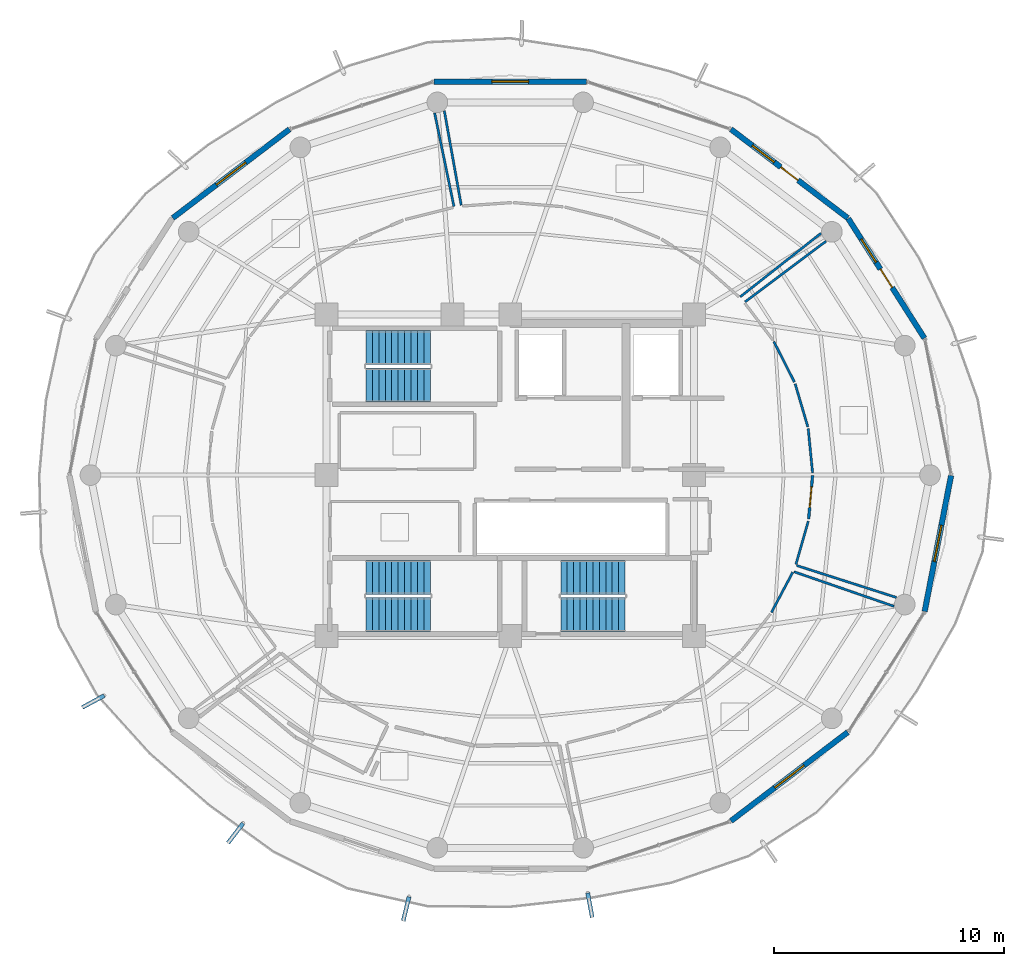
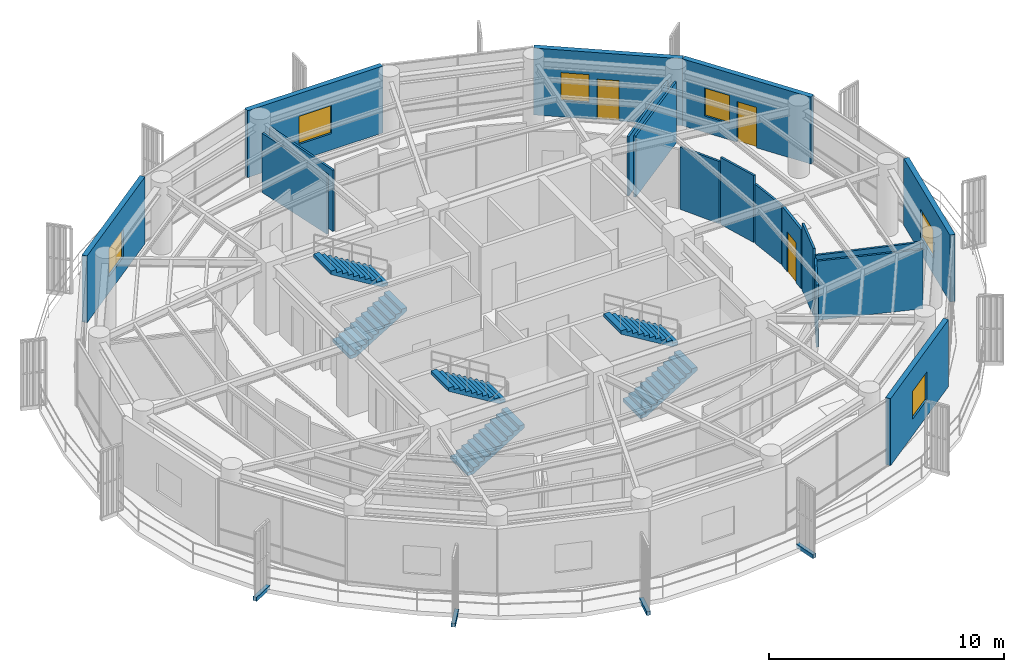
# One storey, part 18 of 23: 18 walls, 6 stair flights, 6 windows, 4 discrete accessories, 3 doors, 9 openings, 3 elements without a shape of their own.
"""IFC4 building model written with IfcOpenShell, lengths in metres."""

from ifc_helpers import new_model, si_unit, direction, frame, frame_2d, origin, origin_2d, place, context, subcontext, project, spatial, polyline, rectangle, outline, extrude, source, transform, mapped, material, layer, layer_set, type_object, element, fill, aggregate, save


model = new_model("IFC4")

# Units and contexts
model_context = context("Model", 3, precision=1e-05, world=origin(), true_north=direction((0.0, 1.0)))
body_context = subcontext(model_context, "Body", "Model", "MODEL_VIEW")
ifc_project = project(units=[si_unit("LENGTHUNIT", "METRE"), si_unit("AREAUNIT", "SQUARE_METRE"), si_unit("VOLUMEUNIT", "CUBIC_METRE"), si_unit("PLANEANGLEUNIT", "RADIAN"), si_unit("MASSUNIT", "GRAM", prefix="KILO")], contexts=[model_context])

# Site, building, storey
site_placement = place(None, origin())
site = spatial("IfcSite", under=ifc_project, at=site_placement, CompositionType="ELEMENT")
building_placement = place(site_placement, origin())
building = spatial("IfcBuilding", under=site, at=building_placement, Name="Kelanora Arch Commons", CompositionType="ELEMENT")
storey_placement = place(building_placement, frame((0.0, 0.0, 286.199951171875)))
storey = spatial("IfcBuildingStorey", under=building, at=storey_placement, Name="L73", CompositionType="ELEMENT", Elevation=286.199951171875)

# Wall, openings, door, window
ifc_material_1 = material(Name="Precast concrete C40/50 upper-zone terracotta rainscreen", Category="masonry")
ifc_layer_1 = layer(ifc_material_1, 0.239990234375)
ifc_layer_set_1 = layer_set([ifc_layer_1], Name="Precast concrete C40/50 upper-zone terracotta rainscreen")
wall_type_1 = type_object("IfcWallType", Name="W-EXT-TC2", PredefinedType="SOLIDWALL", material=ifc_layer_set_1)
wall_1_placement = place(storey_placement, frame((92.033935546875, 63.9638671875, 0.0), z_axis=(0.0, 0.0, 1.0), x_axis=(-0.537271968456, 0.843409053728, 0.0)))
wall_1 = element("IfcWall", 1, at=wall_1_placement, inside=storey, type_object=wall_type_1, Name="Terracotta Exterior Wall L73-B01", PredefinedType="SOLIDWALL", context=body_context, shape_type="SweptSolid", body=[
    extrude(rectangle(XDim=6.175048828125, YDim=0.239990234375, at=frame_2d((3.08740234375, 0.0))), origin(), (0.0, 0.0, 1.0), 3.47509765625),
])
opening_1_placement = place(wall_1_placement, frame((2.613037109375, 0.0, 0.0)))
opening_1 = element("IfcOpeningElement", 2, at=opening_1_placement, cuts=wall_1, Name="Opening DB-01", PredefinedType="OPENING", context=body_context, shape_type="SweptSolid", body=[
    extrude(rectangle(XDim=0.949951171875, YDim=2.10009765625, at=frame_2d((0.47509765625, 1.050048828125))), frame((0.0, 0.1298828125, 0.0), z_axis=(0.0, -1.0, 0.0), x_axis=(1.0, 0.0, 0.0)), (0.0, 0.0, 1.0), 0.260009765625),
])
opening_2_placement = place(wall_1_placement, frame((3.9130859375, 0.0, 0.85009765625)))
opening_2 = element("IfcOpeningElement", 3, at=opening_2_placement, cuts=wall_1, Name="Opening WN-02", PredefinedType="OPENING", context=body_context, shape_type="SweptSolid", body=[
    extrude(rectangle(XDim=1.199951171875, YDim=1.449951171875, at=frame_2d((0.60009765625, 0.72509765625))), frame((0.0, 0.1298828125, 0.0), z_axis=(0.0, -1.0, 0.0), x_axis=(1.0, 0.0, 0.0)), (0.0, 0.0, 1.0), 0.260009765625),
])
ifc_material_2 = material(Name="Terracotta-aluminium thermally broken glazed balcony door", Category="masonry")
door_type_1 = type_object("IfcDoorType", Name="D-BAL-10", OperationType="NOTDEFINED", PredefinedType="DOOR", material=ifc_material_2)
door_1_placement = place(opening_1_placement, frame((0.949951171875, 0.0, 0.0), z_axis=(0.0, 0.0, 1.0), x_axis=(-1.0, 0.0, 0.0)))
door_1 = element("IfcDoor", 4, at=door_1_placement, inside=storey, type_object=door_type_1, Name="Wave Balcony Door L73-B01", OperationType="SINGLE_SWING_LEFT", OverallHeight=2.10009765625, OverallWidth=0.949951171875, PredefinedType="DOOR", context=body_context, shape_type="SweptSolid", body=[
    extrude(rectangle(XDim=0.949951171875, YDim=2.10009765625, at=frame_2d((0.47509765625, 1.050048828125))), frame((0.0, 0.02490234375, 0.0), z_axis=(0.0, -1.0, 0.0), x_axis=(1.0, 0.0, 0.0)), (0.0, 0.0, 1.0), 0.050048828125),
])
fill(opening_1, door_1)
ifc_material_3 = material(Name="Terracotta-anodised aluminium frame with operable awning sash", Category="masonry")
window_type_1 = type_object("IfcWindowType", Name="WIN-CL-12", PartitioningType="SINGLE_PANEL", PredefinedType="WINDOW", material=ifc_material_3)
window_1_placement = place(opening_2_placement, origin())
window_1 = element("IfcWindow", 5, at=window_1_placement, inside=storey, type_object=window_type_1, Name="Co-Living Operable Window L73-B01", OverallHeight=1.449951171875, OverallWidth=1.199951171875, PartitioningType="SINGLE_PANEL", PredefinedType="WINDOW", context=body_context, shape_type="SweptSolid", body=[
    extrude(rectangle(XDim=1.199951171875, YDim=1.449951171875, at=frame_2d((0.60009765625, 0.72509765625))), frame((0.0, 0.030029296875, 0.0), z_axis=(0.0, -1.0, 0.0), x_axis=(1.0, 0.0, 0.0)), (0.0, 0.0, 1.0), 0.06005859375),
])
fill(opening_2, window_1)

wall_2_placement = place(storey_placement, frame((88.6962890625, 69.193603515625, 0.0), z_axis=(0.0, 0.0, 1.0), x_axis=(-0.796010444211, 0.605282886514, 0.0)))
wall_2 = element("IfcWall", 6, at=wall_2_placement, inside=storey, type_object=wall_type_1, Name="Terracotta Exterior Wall L73-B02", PredefinedType="SOLIDWALL", context=body_context, shape_type="SweptSolid", body=[
    extrude(rectangle(XDim=6.387451171875, YDim=0.239990234375, at=frame_2d((3.19384765625, 0.0))), origin(), (0.0, 0.0, 1.0), 3.47509765625),
])
opening_3_placement = place(wall_2_placement, frame((2.718994140625, 0.0, 0.0)))
opening_3 = element("IfcOpeningElement", 7, at=opening_3_placement, cuts=wall_2, Name="Opening DB-01", PredefinedType="OPENING", context=body_context, shape_type="SweptSolid", body=[
    extrude(rectangle(XDim=0.949951171875, YDim=2.10009765625, at=frame_2d((0.47509765625, 1.050048828125))), frame((0.0, 0.1298828125, 0.0), z_axis=(0.0, -1.0, 0.0), x_axis=(1.0, 0.0, 0.0)), (0.0, 0.0, 1.0), 0.260009765625),
])
opening_4_placement = place(wall_2_placement, frame((4.01904296875, 0.0, 0.85009765625)))
opening_4 = element("IfcOpeningElement", 8, at=opening_4_placement, cuts=wall_2, Name="Opening WN-02", PredefinedType="OPENING", context=body_context, shape_type="SweptSolid", body=[
    extrude(rectangle(XDim=1.199951171875, YDim=1.449951171875, at=frame_2d((0.60009765625, 0.72509765625))), frame((0.0, 0.1298828125, 0.0), z_axis=(0.0, -1.0, 0.0), x_axis=(1.0, 0.0, 0.0)), (0.0, 0.0, 1.0), 0.260009765625),
])
door_2_placement = place(opening_3_placement, frame((0.949951171875, 0.0, 0.0), z_axis=(0.0, 0.0, 1.0), x_axis=(-1.0, 0.0, 0.0)))
door_2 = element("IfcDoor", 9, at=door_2_placement, inside=storey, type_object=door_type_1, Name="Wave Balcony Door L73-B02", OperationType="SINGLE_SWING_RIGHT", OverallHeight=2.10009765625, OverallWidth=0.949951171875, PredefinedType="DOOR", context=body_context, shape_type="SweptSolid", body=[
    extrude(rectangle(XDim=0.949951171875, YDim=2.10009765625, at=frame_2d((0.47509765625, 1.050048828125))), frame((0.0, 0.02490234375, 0.0), z_axis=(0.0, -1.0, 0.0), x_axis=(1.0, 0.0, 0.0)), (0.0, 0.0, 1.0), 0.050048828125),
])
fill(opening_3, door_2)
window_2_placement = place(opening_4_placement, origin())
window_2 = element("IfcWindow", 10, at=window_2_placement, inside=storey, type_object=window_type_1, Name="Co-Living Operable Window L73-B02", OverallHeight=1.449951171875, OverallWidth=1.199951171875, PartitioningType="SINGLE_PANEL", PredefinedType="WINDOW", context=body_context, shape_type="SweptSolid", body=[
    extrude(rectangle(XDim=1.199951171875, YDim=1.449951171875, at=frame_2d((0.60009765625, 0.72509765625))), frame((0.0, 0.030029296875, 0.0), z_axis=(0.0, -1.0, 0.0), x_axis=(1.0, 0.0, 0.0)), (0.0, 0.0, 1.0), 0.06005859375),
])
fill(opening_4, window_2)

# Wall, opening, window
wall_3_placement = place(storey_placement, frame((77.319091796875, 75.1357421875, 0.0), z_axis=(0.0, 0.0, 1.0), x_axis=(-1.0, 0.0, 0.0)))
wall_3 = element("IfcWall", 11, at=wall_3_placement, inside=storey, type_object=wall_type_1, Name="Terracotta Exterior Wall L73-B04", PredefinedType="SOLIDWALL", context=body_context, shape_type="SweptSolid", body=[
    extrude(rectangle(XDim=6.63818359375, YDim=0.239990234375, at=frame_2d((3.319091796875, 0.0))), origin(), (0.0, 0.0, 1.0), 3.47509765625),
])
opening_5_placement = place(wall_3_placement, frame((2.51904296875, 0.0, 0.85009765625)))
opening_5 = element("IfcOpeningElement", 12, at=opening_5_placement, cuts=wall_3, Name="Opening WN-01", PredefinedType="OPENING", context=body_context, shape_type="SweptSolid", body=[
    extrude(rectangle(XDim=1.60009765625, YDim=1.449951171875, at=frame_2d((0.800048828125, 0.72509765625))), frame((0.0, 0.1298828125, 0.0), z_axis=(0.0, -1.0, 0.0), x_axis=(1.0, 0.0, 0.0)), (0.0, 0.0, 1.0), 0.260009765625),
])
ifc_material_4 = material(Name="Terracotta-anodised aluminium frame with operable low-E glazing", Category="masonry")
window_type_2 = type_object("IfcWindowType", Name="WIN-CL-18", PartitioningType="DOUBLE_PANEL_VERTICAL", PredefinedType="WINDOW", material=ifc_material_4)
window_3_placement = place(opening_5_placement, origin())
window_3 = element("IfcWindow", 13, at=window_3_placement, inside=storey, type_object=window_type_2, Name="Co-Living Operable Window L73-B04", OverallHeight=1.449951171875, OverallWidth=1.60009765625, PartitioningType="SINGLE_PANEL", PredefinedType="WINDOW", context=body_context, shape_type="SweptSolid", body=[
    extrude(rectangle(XDim=1.60009765625, YDim=1.449951171875, at=frame_2d((0.800048828125, 0.72509765625))), frame((0.0, 0.030029296875, 0.0), z_axis=(0.0, -1.0, 0.0), x_axis=(1.0, 0.0, 0.0)), (0.0, 0.0, 1.0), 0.06005859375),
])
fill(opening_5, window_3)

wall_4_placement = place(storey_placement, frame((64.38818359375, 73.059814453125, 0.0), z_axis=(0.0, 0.0, 1.0), x_axis=(-0.796010444211, -0.605282886514, 0.0)))
wall_4 = element("IfcWall", 14, at=wall_4_placement, inside=storey, type_object=wall_type_1, Name="Terracotta Exterior Wall L73-B06", PredefinedType="SOLIDWALL", context=body_context, shape_type="SweptSolid", body=[
    extrude(rectangle(XDim=6.387451171875, YDim=0.239990234375, at=frame_2d((3.19384765625, 0.0))), origin(), (0.0, 0.0, 1.0), 3.47509765625),
])
opening_6_placement = place(wall_4_placement, frame((2.39404296875, 0.0, 0.85009765625)))
opening_6 = element("IfcOpeningElement", 15, at=opening_6_placement, cuts=wall_4, Name="Opening WN-01", PredefinedType="OPENING", context=body_context, shape_type="SweptSolid", body=[
    extrude(rectangle(XDim=1.60009765625, YDim=1.449951171875, at=frame_2d((0.800048828125, 0.72509765625))), frame((0.0, 0.1298828125, 0.0), z_axis=(0.0, -1.0, 0.0), x_axis=(1.0, 0.0, 0.0)), (0.0, 0.0, 1.0), 0.260009765625),
])
window_4_placement = place(opening_6_placement, origin())
window_4 = element("IfcWindow", 16, at=window_4_placement, inside=storey, type_object=window_type_2, Name="Co-Living Operable Window L73-B06", OverallHeight=1.449951171875, OverallWidth=1.60009765625, PartitioningType="SINGLE_PANEL", PredefinedType="WINDOW", context=body_context, shape_type="SweptSolid", body=[
    extrude(rectangle(XDim=1.60009765625, YDim=1.449951171875, at=frame_2d((0.800048828125, 0.72509765625))), frame((0.0, 0.030029296875, 0.0), z_axis=(0.0, -1.0, 0.0), x_axis=(1.0, 0.0, 0.0)), (0.0, 0.0, 1.0), 0.06005859375),
])
fill(opening_6, window_4)

wall_5_placement = place(storey_placement, frame((83.61181640625, 42.940185546875, 0.0), z_axis=(0.0, 0.0, 1.0), x_axis=(0.796010444211, 0.605282886514, 0.0)))
wall_5 = element("IfcWall", 17, at=wall_5_placement, inside=storey, type_object=wall_type_1, Name="Terracotta Exterior Wall L73-B15", PredefinedType="SOLIDWALL", context=body_context, shape_type="SweptSolid", body=[
    extrude(rectangle(XDim=6.387451171875, YDim=0.239990234375, at=frame_2d((3.19384765625, 0.0))), origin(), (0.0, 0.0, 1.0), 3.47509765625),
])
opening_7_placement = place(wall_5_placement, frame((2.39404296875, 0.0, 0.85009765625)))
opening_7 = element("IfcOpeningElement", 18, at=opening_7_placement, cuts=wall_5, Name="Opening WN-01", PredefinedType="OPENING", context=body_context, shape_type="SweptSolid", body=[
    extrude(rectangle(XDim=1.60009765625, YDim=1.449951171875, at=frame_2d((0.800048828125, 0.72509765625))), frame((0.0, 0.1298828125, 0.0), z_axis=(0.0, -1.0, 0.0), x_axis=(1.0, 0.0, 0.0)), (0.0, 0.0, 1.0), 0.260009765625),
])
window_5_placement = place(opening_7_placement, origin())
window_5 = element("IfcWindow", 19, at=window_5_placement, inside=storey, type_object=window_type_2, Name="Co-Living Operable Window L73-B15", OverallHeight=1.449951171875, OverallWidth=1.60009765625, PartitioningType="SINGLE_PANEL", PredefinedType="WINDOW", context=body_context, shape_type="SweptSolid", body=[
    extrude(rectangle(XDim=1.60009765625, YDim=1.449951171875, at=frame_2d((0.800048828125, 0.72509765625))), frame((0.0, 0.030029296875, 0.0), z_axis=(0.0, -1.0, 0.0), x_axis=(1.0, 0.0, 0.0)), (0.0, 0.0, 1.0), 0.06005859375),
])
fill(opening_7, window_5)

wall_6_placement = place(storey_placement, frame((92.044921875, 52.0634765625, 0.0), z_axis=(0.0, 0.0, 1.0), x_axis=(0.190969309115, 0.981596008028, 0.0)))
wall_6 = element("IfcWall", 20, at=wall_6_placement, inside=storey, type_object=wall_type_1, Name="Terracotta Exterior Wall L73-B17", PredefinedType="SOLIDWALL", context=body_context, shape_type="SweptSolid", body=[
    extrude(rectangle(XDim=6.032958984375, YDim=0.239990234375, at=frame_2d((3.0166015625, 0.0))), origin(), (0.0, 0.0, 1.0), 3.47509765625),
])
opening_8_placement = place(wall_6_placement, frame((2.216064453125, 0.0, 0.85009765625)))
opening_8 = element("IfcOpeningElement", 21, at=opening_8_placement, cuts=wall_6, Name="Opening WN-01", PredefinedType="OPENING", context=body_context, shape_type="SweptSolid", body=[
    extrude(rectangle(XDim=1.60009765625, YDim=1.449951171875, at=frame_2d((0.800048828125, 0.72509765625))), frame((0.0, 0.1298828125, 0.0), z_axis=(0.0, -1.0, 0.0), x_axis=(1.0, 0.0, 0.0)), (0.0, 0.0, 1.0), 0.260009765625),
])
window_6_placement = place(opening_8_placement, origin())
window_6 = element("IfcWindow", 22, at=window_6_placement, inside=storey, type_object=window_type_2, Name="Co-Living Operable Window L73-B17", OverallHeight=1.449951171875, OverallWidth=1.60009765625, PartitioningType="SINGLE_PANEL", PredefinedType="WINDOW", context=body_context, shape_type="SweptSolid", body=[
    extrude(rectangle(XDim=1.60009765625, YDim=1.449951171875, at=frame_2d((0.800048828125, 0.72509765625))), frame((0.0, 0.030029296875, 0.0), z_axis=(0.0, -1.0, 0.0), x_axis=(1.0, 0.0, 0.0)), (0.0, 0.0, 1.0), 0.06005859375),
])
fill(opening_8, window_6)

# Walls
ifc_material_5 = material(Name="Lightweight fire-rated acoustic stud partition")
ifc_layer_2 = layer(ifc_material_5, 0.10009765625)
ifc_layer_set_2 = layer_set([ifc_layer_2], Name="Lightweight fire-rated acoustic stud partition")
wall_type_2 = type_object("IfcWallType", Name="W-PART-100", PredefinedType="PARTITIONING", material=ifc_layer_set_2)
wall_7_placement = place(storey_placement, frame((70.706787109375, 73.769775390625, 0.0), z_axis=(0.0, 0.0, 1.0), x_axis=(0.202308141573, -0.979321916355, 0.0)))
element("IfcWall", 23, at=wall_7_placement, inside=storey, type_object=wall_type_2, Name="Communal Dining and Social Hall L73-01 Enclosure Partition 14", PredefinedType="PARTITIONING", context=body_context, shape_type="SweptSolid", body=[
    extrude(rectangle(XDim=4.152587890625, YDim=0.10009765625, at=frame_2d((2.076171875, 0.0))), origin(), (0.0, 0.0, 1.0), 3.074951171875),
])
wall_8_placement = place(storey_placement, frame((85.370849609375, 52.016357421875, 0.0), z_axis=(0.0, 0.0, 1.0), x_axis=(0.468933294906, 0.883233584579, 0.0)))
element("IfcWall", 24, at=wall_8_placement, inside=storey, type_object=wall_type_2, Name="Quiet Seminar Study Room L73-04 Enclosure Partition 6", PredefinedType="PARTITIONING", context=body_context, shape_type="SweptSolid", body=[
    extrude(rectangle(XDim=1.984130859375, YDim=0.10009765625, at=frame_2d((0.9921875, 0.0))), origin(), (0.0, 0.0, 1.0), 3.235107421875),
])
wall_9_placement = place(storey_placement, frame((86.35791015625, 53.791015625, 0.0), z_axis=(0.0, 0.0, 1.0), x_axis=(0.945103281494, -0.326771766388, 0.0)))
element("IfcWall", 25, at=wall_9_placement, inside=storey, type_object=wall_type_2, Name="Quiet Seminar Study Room L73-04 Enclosure Partition 7", PredefinedType="PARTITIONING", context=body_context, shape_type="SweptSolid", body=[
    extrude(rectangle(XDim=4.603759765625, YDim=0.10009765625, at=frame_2d((2.3017578125, 0.0))), origin(), (0.0, 0.0, 1.0), 3.074951171875),
])
wall_10_placement = place(storey_placement, frame((86.44091796875, 54.115478515625, 0.0), z_axis=(0.0, 0.0, 1.0), x_axis=(0.274226302341, 0.961665188673, 0.0)))
element("IfcWall", 26, at=wall_10_placement, inside=storey, type_object=wall_type_2, Name="Communal Dining and Social Hall L73-05 Enclosure Partition 1", PredefinedType="PARTITIONING", context=body_context, shape_type="SweptSolid", body=[
    extrude(rectangle(XDim=1.955078125, YDim=0.10009765625, at=frame_2d((0.9775390625, 0.0))), origin(), (0.0, 0.0, 1.0), 3.47998046875),
])
wall_11_placement = place(storey_placement, frame((87.166015625, 58.087890625, 0.0), z_axis=(0.0, 0.0, 1.0), x_axis=(-0.098769631998, 0.995110325439, 0.0)))
element("IfcWall", 27, at=wall_11_placement, inside=storey, type_object=wall_type_2, Name="Communal Dining and Social Hall L73-05 Enclosure Partition 3", PredefinedType="PARTITIONING", context=body_context, shape_type="SweptSolid", body=[
    extrude(rectangle(XDim=1.94287109375, YDim=0.10009765625, at=frame_2d((0.971435546875, 0.0))), origin(), (0.0, 0.0, 1.0), 3.074951171875),
])
wall_12_placement = place(storey_placement, frame((86.958740234375, 60.099365234375, 0.0), z_axis=(0.0, 0.0, 1.0), x_axis=(-0.28293653612, 0.959138632591, 0.0)))
element("IfcWall", 28, at=wall_12_placement, inside=storey, type_object=wall_type_2, Name="Communal Dining and Social Hall L73-05 Enclosure Partition 4", PredefinedType="PARTITIONING", context=body_context, shape_type="SweptSolid", body=[
    extrude(rectangle(XDim=1.9560546875, YDim=0.10009765625, at=frame_2d((0.97802734375, 0.0))), origin(), (0.0, 0.0, 1.0), 3.47998046875),
])
wall_13_placement = place(storey_placement, frame((86.3759765625, 62.049560546875, 0.0), z_axis=(0.0, 0.0, 1.0), x_axis=(-0.453658133306, 0.891175795276, 0.0)))
element("IfcWall", 29, at=wall_13_placement, inside=storey, type_object=wall_type_2, Name="Communal Dining and Social Hall L73-05 Enclosure Partition 5", PredefinedType="PARTITIONING", context=body_context, shape_type="SweptSolid", body=[
    extrude(rectangle(XDim=1.9814453125, YDim=0.10009765625, at=frame_2d((0.99072265625, 0.0))), origin(), (0.0, 0.0, 1.0), 3.235107421875),
])
wall_14_placement = place(storey_placement, frame((84.222900390625, 65.5419921875, 0.0), z_axis=(0.0, 0.0, 1.0), x_axis=(0.800384816546, 0.599486568191, 0.0)))
element("IfcWall", 30, at=wall_14_placement, inside=storey, type_object=wall_type_2, Name="Communal Dining and Social Hall L73-05 Enclosure Partition 7", PredefinedType="PARTITIONING", context=body_context, shape_type="SweptSolid", body=[
    extrude(rectangle(XDim=4.413818359375, YDim=0.10009765625, at=frame_2d((2.20703125, 0.0))), origin(), (0.0, 0.0, 1.0), 3.175048828125),
])
wall_15_placement = place(storey_placement, frame((90.815673828125, 52.671142578125, 0.0), z_axis=(0.0, 0.0, 1.0), x_axis=(-0.95227750557, 0.305233602976, 0.0)))
element("IfcWall", 31, at=wall_15_placement, inside=storey, type_object=wall_type_2, Name="Communal Dining and Social Hall L73-05 Enclosure Partition 14", PredefinedType="PARTITIONING", context=body_context, shape_type="SweptSolid", body=[
    extrude(rectangle(XDim=4.5654296875, YDim=0.10009765625, at=frame_2d((2.28271484375, 0.0))), origin(), (0.0, 0.0, 1.0), 3.175048828125),
])
wall_16_placement = place(storey_placement, frame((71.864990234375, 69.75341796875, 0.0), z_axis=(0.0, 0.0, 1.0), x_axis=(-0.176199339585, 0.984354505618, 0.0)))
element("IfcWall", 32, at=wall_16_placement, inside=storey, type_object=wall_type_2, Name="Social Sky Lounge L73-06 Enclosure Partition 7", PredefinedType="PARTITIONING", context=body_context, shape_type="SweptSolid", body=[
    extrude(rectangle(XDim=4.17626953125, YDim=0.10009765625, at=frame_2d((2.088134765625, 0.0))), origin(), (0.0, 0.0, 1.0), 3.175048828125),
])
wall_17_placement = place(storey_placement, frame((87.5322265625, 68.532470703125, 0.0), z_axis=(0.0, 0.0, 1.0), x_axis=(-0.785736749878, -0.618561039745, 0.0)))
element("IfcWall", 33, at=wall_17_placement, inside=storey, type_object=wall_type_2, Name="Social Sky Lounge L73-06 Enclosure Partition 14", PredefinedType="PARTITIONING", context=body_context, shape_type="SweptSolid", body=[
    extrude(rectangle(XDim=4.474609375, YDim=0.10009765625, at=frame_2d((2.2373046875, 0.0))), origin(), (0.0, 0.0, 1.0), 3.074951171875),
])

# Wall, opening, door
ifc_material_6 = material(Name="Acoustic twin-stud fire-rated gypsum partition")
ifc_layer_3 = layer(ifc_material_6, 0.1201171875)
ifc_layer_set_3 = layer_set([ifc_layer_3], Name="Acoustic twin-stud fire-rated gypsum partition")
wall_type_3 = type_object("IfcWallType", Name="W-PART-120", PredefinedType="PARTITIONING", material=ifc_layer_set_3)
wall_18_placement = place(storey_placement, frame((86.993408203125, 56.09375, 0.0), z_axis=(0.0, 0.0, 1.0), x_axis=(0.089968706127, 0.995944592795, 0.0)))
wall_18 = element("IfcWall", 34, at=wall_18_placement, inside=storey, type_object=wall_type_3, Name="Communal Dining and Social Hall L73-05 Entry Partition", PredefinedType="PARTITIONING", context=body_context, shape_type="SweptSolid", body=[
    extrude(rectangle(XDim=1.90234375, YDim=0.1201171875, at=frame_2d((0.951171875, 0.0))), origin(), (0.0, 0.0, 1.0), 3.074951171875),
])
opening_9_placement = place(wall_18_placement, frame((0.5009765625, 0.0, 0.0)))
opening_9 = element("IfcOpeningElement", 35, at=opening_9_placement, cuts=wall_18, Name="Opening D-RM1", PredefinedType="OPENING", context=body_context, shape_type="SweptSolid", body=[
    extrude(rectangle(XDim=0.89990234375, YDim=2.080078125, at=frame_2d((0.449951171875, 1.0400390625))), frame((0.0, 0.070068359375, 0.0), z_axis=(0.0, -1.0, 0.0), x_axis=(1.0, 0.0, 0.0)), (0.0, 0.0, 1.0), 0.14013671875),
])
ifc_material_7 = material(Name="Acoustic fire-rated timber study and lounge door", Category="wood")
door_type_2 = type_object("IfcDoorType", Name="D-ROOM-90", OperationType="NOTDEFINED", PredefinedType="DOOR", material=ifc_material_7)
door_3_placement = place(opening_9_placement, origin())
door_3 = element("IfcDoor", 36, at=door_3_placement, inside=storey, type_object=door_type_2, Name="Communal Dining and Social Hall L73-05 Door", OperationType="SINGLE_SWING_LEFT", OverallHeight=2.080078125, OverallWidth=0.89990234375, PredefinedType="DOOR", context=body_context, shape_type="SweptSolid", body=[
    extrude(rectangle(XDim=0.89990234375, YDim=2.080078125, at=frame_2d((0.449951171875, 1.0400390625))), frame((0.0, 0.02490234375, 0.0), z_axis=(0.0, -1.0, 0.0), x_axis=(1.0, 0.0, 0.0)), (0.0, 0.0, 1.0), 0.050048828125),
])
fill(opening_9, door_3)

# Stair, stair flights
ifc_material_8 = material(Name="Concrete C40/50", Category="concrete")
stair_type = type_object("IfcStairType", Name="STR-DL-375", PredefinedType="HALF_TURN_STAIR", material=ifc_material_8)
stair_1_placement = place(storey_placement, origin())
stair_1 = element("IfcStair", 37, at=stair_1_placement, inside=storey, type_object=stair_type, Name="L73 ST-T1", PredefinedType="HALF_TURN_STAIR")
stair_flight_type = type_object("IfcStairFlightType", Name="FLT-DL-375", PredefinedType="STRAIGHT", material=ifc_material_8)
stair_flight_1_placement = place(storey_placement, frame((67.719970703125, 61.919921875, 0.0), z_axis=(0.0, 0.0, 1.0), x_axis=(1.0, 0.0, 0.0)))
stair_flight_1 = element("IfcStairFlight", 38, at=stair_flight_1_placement, type_object=stair_flight_type, Name="ST-T1 flight 1", NumberOfRisers=11, NumberOfTreads=10, PredefinedType="STRAIGHT", RiserHeight=0.170454545, TreadLength=0.28, context=body_context, shape_type="SweptSolid", body=[
    extrude(outline(polyline([(0.0, 0.0), (0.0, 0.17041015625), (0.280029296875, 0.17041015625), (0.280029296875, 0.3408203125), (0.56005859375, 0.3408203125), (0.56005859375, 0.511474609375), (0.840087890625, 0.511474609375), (0.840087890625, 0.681884765625), (1.1201171875, 0.681884765625), (1.1201171875, 0.852294921875), (1.39990234375, 0.852294921875), (1.39990234375, 1.022705078125), (1.679931640625, 1.022705078125), (1.679931640625, 1.193115234375), (1.9599609375, 1.193115234375), (1.9599609375, 1.363525390625), (2.239990234375, 1.363525390625), (2.239990234375, 1.5341796875), (2.52001953125, 1.5341796875), (2.52001953125, 1.70458984375), (2.800048828125, 1.70458984375), (2.800048828125, 1.875), (2.800048828125, 1.529052734375), (0.288330078125, 0.0), (0.0, 0.0)])), frame((0.0, 0.739990234375, 0.0), z_axis=(0.0, -1.0, 0.0), x_axis=(1.0, 0.0, 0.0)), (0.0, 0.0, 1.0), 1.47998046875),
])
stair_flight_2_placement = place(storey_placement, frame((70.52001953125, 63.550048828125, 1.875), z_axis=(0.0, 0.0, 1.0), x_axis=(-1.0, 0.0, 0.0)))
stair_flight_2 = element("IfcStairFlight", 39, at=stair_flight_2_placement, type_object=stair_flight_type, Name="ST-T1 flight 2", NumberOfRisers=11, NumberOfTreads=10, PredefinedType="STRAIGHT", RiserHeight=0.170454545, TreadLength=0.28, context=body_context, shape_type="SweptSolid", body=[
    extrude(outline(polyline([(0.0, 0.0), (0.0, 0.17041015625), (0.280029296875, 0.17041015625), (0.280029296875, 0.3408203125), (0.56005859375, 0.3408203125), (0.56005859375, 0.511474609375), (0.840087890625, 0.511474609375), (0.840087890625, 0.681884765625), (1.1201171875, 0.681884765625), (1.1201171875, 0.852294921875), (1.39990234375, 0.852294921875), (1.39990234375, 1.022705078125), (1.679931640625, 1.022705078125), (1.679931640625, 1.193115234375), (1.9599609375, 1.193115234375), (1.9599609375, 1.363525390625), (2.239990234375, 1.363525390625), (2.239990234375, 1.5341796875), (2.52001953125, 1.5341796875), (2.52001953125, 1.70458984375), (2.800048828125, 1.70458984375), (2.800048828125, 1.875), (2.800048828125, 1.529052734375), (0.288330078125, 0.0), (0.0, 0.0)])), frame((0.0, 0.739990234375, 0.0), z_axis=(0.0, -1.0, 0.0), x_axis=(1.0, 0.0, 0.0)), (0.0, 0.0, 1.0), 1.47998046875),
])
aggregate(stair_1, [stair_flight_1, stair_flight_2])

stair_2_placement = place(storey_placement, origin())
stair_2 = element("IfcStair", 40, at=stair_2_placement, inside=storey, type_object=stair_type, Name="L73 ST-T2", PredefinedType="HALF_TURN_STAIR")
stair_flight_3_placement = place(storey_placement, frame((76.199951171875, 51.919921875, 0.0), z_axis=(0.0, 0.0, 1.0), x_axis=(1.0, 0.0, 0.0)))
stair_flight_3 = element("IfcStairFlight", 41, at=stair_flight_3_placement, type_object=stair_flight_type, Name="ST-T2 flight 1", NumberOfRisers=11, NumberOfTreads=10, PredefinedType="STRAIGHT", RiserHeight=0.170454545, TreadLength=0.28, context=body_context, shape_type="SweptSolid", body=[
    extrude(outline(polyline([(0.0, 0.0), (0.0, 0.17041015625), (0.280029296875, 0.17041015625), (0.280029296875, 0.3408203125), (0.56005859375, 0.3408203125), (0.56005859375, 0.511474609375), (0.840087890625, 0.511474609375), (0.840087890625, 0.681884765625), (1.1201171875, 0.681884765625), (1.1201171875, 0.852294921875), (1.39990234375, 0.852294921875), (1.39990234375, 1.022705078125), (1.679931640625, 1.022705078125), (1.679931640625, 1.193115234375), (1.9599609375, 1.193115234375), (1.9599609375, 1.363525390625), (2.239990234375, 1.363525390625), (2.239990234375, 1.5341796875), (2.52001953125, 1.5341796875), (2.52001953125, 1.70458984375), (2.800048828125, 1.70458984375), (2.800048828125, 1.875), (2.800048828125, 1.529052734375), (0.288330078125, 0.0), (0.0, 0.0)])), frame((0.0, 0.739990234375, 0.0), z_axis=(0.0, -1.0, 0.0), x_axis=(1.0, 0.0, 0.0)), (0.0, 0.0, 1.0), 1.47998046875),
])
stair_flight_4_placement = place(storey_placement, frame((79.0, 53.550048828125, 1.875), z_axis=(0.0, 0.0, 1.0), x_axis=(-1.0, 0.0, 0.0)))
stair_flight_4 = element("IfcStairFlight", 42, at=stair_flight_4_placement, type_object=stair_flight_type, Name="ST-T2 flight 2", NumberOfRisers=11, NumberOfTreads=10, PredefinedType="STRAIGHT", RiserHeight=0.170454545, TreadLength=0.28, context=body_context, shape_type="SweptSolid", body=[
    extrude(outline(polyline([(0.0, 0.0), (0.0, 0.17041015625), (0.280029296875, 0.17041015625), (0.280029296875, 0.3408203125), (0.56005859375, 0.3408203125), (0.56005859375, 0.511474609375), (0.840087890625, 0.511474609375), (0.840087890625, 0.681884765625), (1.1201171875, 0.681884765625), (1.1201171875, 0.852294921875), (1.39990234375, 0.852294921875), (1.39990234375, 1.022705078125), (1.679931640625, 1.022705078125), (1.679931640625, 1.193115234375), (1.9599609375, 1.193115234375), (1.9599609375, 1.363525390625), (2.239990234375, 1.363525390625), (2.239990234375, 1.5341796875), (2.52001953125, 1.5341796875), (2.52001953125, 1.70458984375), (2.800048828125, 1.70458984375), (2.800048828125, 1.875), (2.800048828125, 1.529052734375), (0.288330078125, 0.0), (0.0, 0.0)])), frame((0.0, 0.739990234375, 0.0), z_axis=(0.0, -1.0, 0.0), x_axis=(1.0, 0.0, 0.0)), (0.0, 0.0, 1.0), 1.47998046875),
])
aggregate(stair_2, [stair_flight_3, stair_flight_4])

stair_3_placement = place(storey_placement, origin())
stair_3 = element("IfcStair", 43, at=stair_3_placement, inside=storey, type_object=stair_type, Name="L73 ST-T3", PredefinedType="HALF_TURN_STAIR")
stair_flight_5_placement = place(storey_placement, frame((67.719970703125, 51.919921875, 0.0), z_axis=(0.0, 0.0, 1.0), x_axis=(1.0, 0.0, 0.0)))
stair_flight_5 = element("IfcStairFlight", 44, at=stair_flight_5_placement, type_object=stair_flight_type, Name="ST-T3 flight 1", NumberOfRisers=11, NumberOfTreads=10, PredefinedType="STRAIGHT", RiserHeight=0.170454545, TreadLength=0.28, context=body_context, shape_type="SweptSolid", body=[
    extrude(outline(polyline([(0.0, 0.0), (0.0, 0.17041015625), (0.280029296875, 0.17041015625), (0.280029296875, 0.3408203125), (0.56005859375, 0.3408203125), (0.56005859375, 0.511474609375), (0.840087890625, 0.511474609375), (0.840087890625, 0.681884765625), (1.1201171875, 0.681884765625), (1.1201171875, 0.852294921875), (1.39990234375, 0.852294921875), (1.39990234375, 1.022705078125), (1.679931640625, 1.022705078125), (1.679931640625, 1.193115234375), (1.9599609375, 1.193115234375), (1.9599609375, 1.363525390625), (2.239990234375, 1.363525390625), (2.239990234375, 1.5341796875), (2.52001953125, 1.5341796875), (2.52001953125, 1.70458984375), (2.800048828125, 1.70458984375), (2.800048828125, 1.875), (2.800048828125, 1.529052734375), (0.288330078125, 0.0), (0.0, 0.0)])), frame((0.0, 0.739990234375, 0.0), z_axis=(0.0, -1.0, 0.0), x_axis=(1.0, 0.0, 0.0)), (0.0, 0.0, 1.0), 1.47998046875),
])
stair_flight_6_placement = place(storey_placement, frame((70.52001953125, 53.550048828125, 1.875), z_axis=(0.0, 0.0, 1.0), x_axis=(-1.0, 0.0, 0.0)))
stair_flight_6 = element("IfcStairFlight", 45, at=stair_flight_6_placement, type_object=stair_flight_type, Name="ST-T3 flight 2", NumberOfRisers=11, NumberOfTreads=10, PredefinedType="STRAIGHT", RiserHeight=0.170454545, TreadLength=0.28, context=body_context, shape_type="SweptSolid", body=[
    extrude(outline(polyline([(0.0, 0.0), (0.0, 0.17041015625), (0.280029296875, 0.17041015625), (0.280029296875, 0.3408203125), (0.56005859375, 0.3408203125), (0.56005859375, 0.511474609375), (0.840087890625, 0.511474609375), (0.840087890625, 0.681884765625), (1.1201171875, 0.681884765625), (1.1201171875, 0.852294921875), (1.39990234375, 0.852294921875), (1.39990234375, 1.022705078125), (1.679931640625, 1.022705078125), (1.679931640625, 1.193115234375), (1.9599609375, 1.193115234375), (1.9599609375, 1.363525390625), (2.239990234375, 1.363525390625), (2.239990234375, 1.5341796875), (2.52001953125, 1.5341796875), (2.52001953125, 1.70458984375), (2.800048828125, 1.70458984375), (2.800048828125, 1.875), (2.800048828125, 1.529052734375), (0.288330078125, 0.0), (0.0, 0.0)])), frame((0.0, 0.739990234375, 0.0), z_axis=(0.0, -1.0, 0.0), x_axis=(1.0, 0.0, 0.0)), (0.0, 0.0, 1.0), 1.47998046875),
])
aggregate(stair_3, [stair_flight_5, stair_flight_6])

# Discrete accessories
ifc_material_9 = material(Name="Stainless steel 316 marine fin bracket", Category="steel")
discrete_accessory_type = type_object("IfcDiscreteAccessoryType", Name="ACC-FIN-BRK", PredefinedType="BRACKET", material=ifc_material_9)
shared_shape = source(origin(), body_context, "Body", "SweptSolid", [
    extrude(rectangle(XDim=1.081787109375, YDim=0.179931640625, at=origin_2d()), origin(), (0.0, 0.0, 1.0), 0.199951171875),
])
for number, where, z_axis, x_axis, name in (
    (46, (55.843017578125, 48.14111328125, -0.16015625), (0.0, 0.0, 1.0), (-0.878817112662, -0.47715876026, 0.0), "Sweeping Fin Cantilever Spine Bracket L73-09"),
    (47, (62.0361328125, 42.40771484375, -0.16015625), (0.0, 0.0, 1.0), (-0.608761429009, -0.793353340291, 0.0), "Sweeping Fin Cantilever Spine Bracket L73-10"),
    (48, (69.465576171875, 39.111328125, -0.16015625), (0.0, 0.0, 1.0), (-0.233445363856, -0.972369920398, 0.0), "Sweeping Fin Cantilever Spine Bracket L73-11"),
    (49, (77.4716796875, 39.27099609375, -0.16015625), (0.0, 0.0, 1.0), (0.182235525492, -0.983254907564, 0.0), "Sweeping Fin Cantilever Spine Bracket L73-12"),
):
    element("IfcDiscreteAccessory", number, at=place(storey_placement, frame(where, z_axis=z_axis, x_axis=x_axis)), inside=storey, type_object=discrete_accessory_type, Name=name, PredefinedType="BRACKET", context=body_context, shape_type="MappedRepresentation", body=[
        mapped(shared_shape, transform((0.0, 0.0, 0.0), scale=1.0)),
    ])

save(model, "model.ifc")
